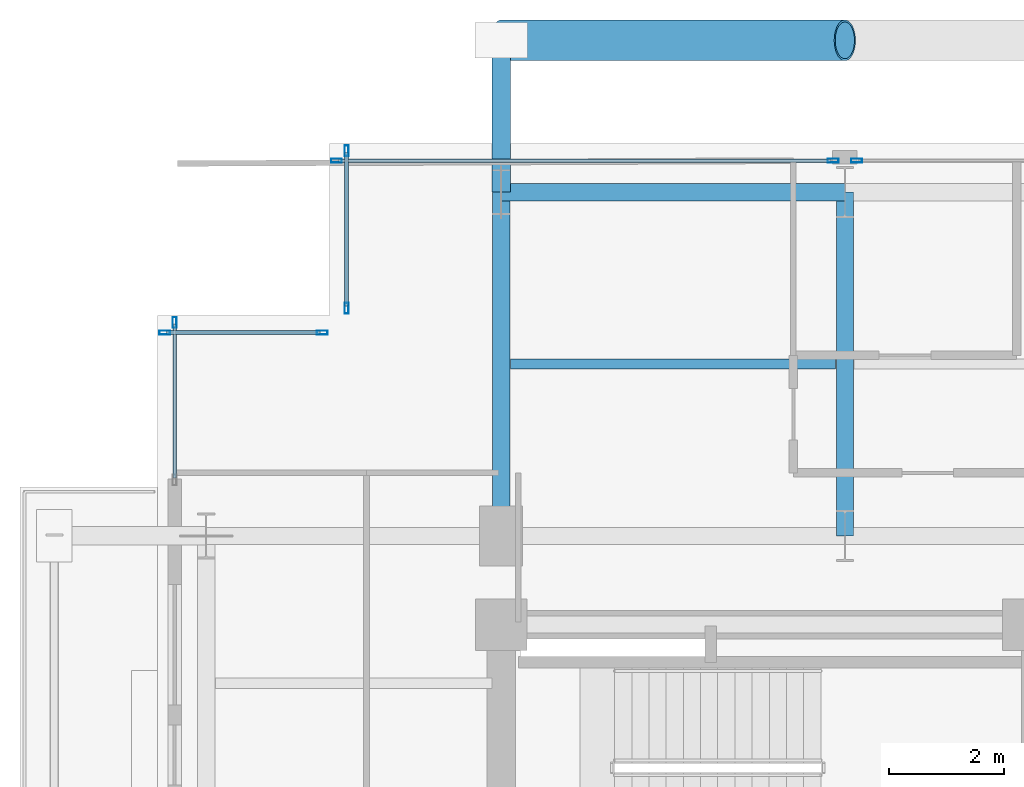
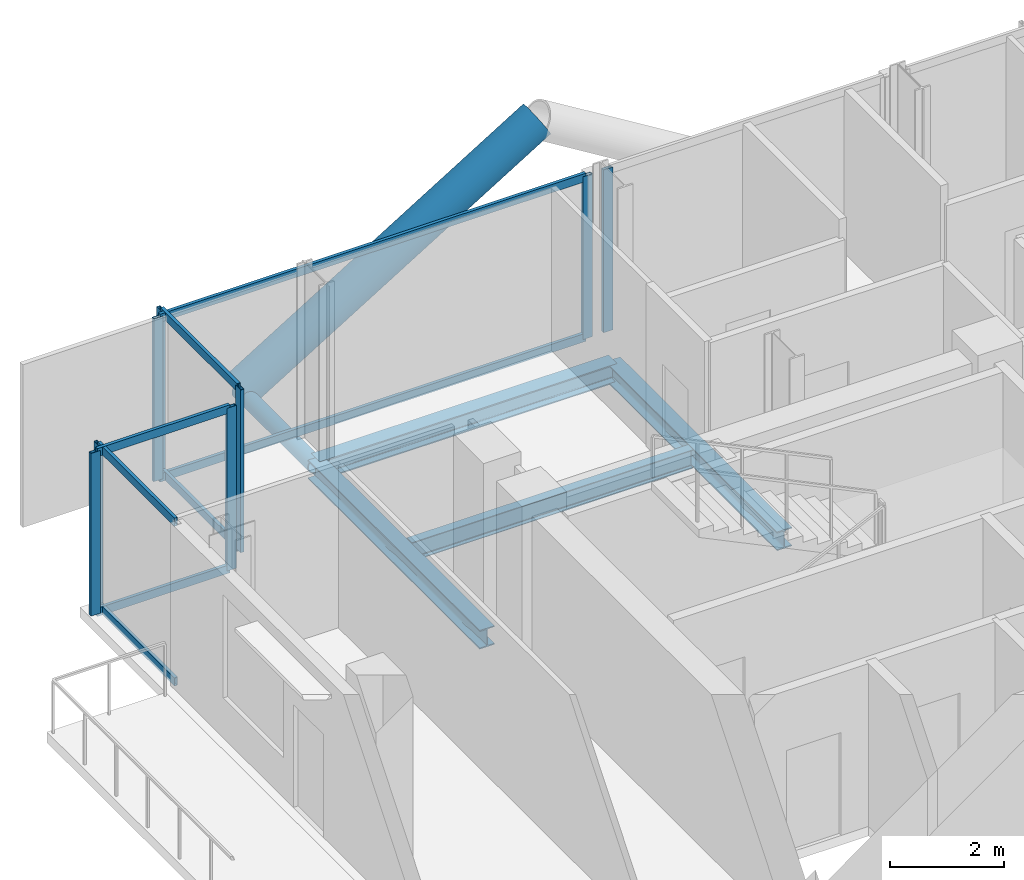
# One storey, part 14 of 26: 18 members, 4 beams, 5 elements without a shape of their own.
"""IFC4 building model written with IfcOpenShell, lengths in metres."""

from ifc_helpers import new_model, si_unit, direction, frame, origin, origin_2d, place, context, subcontext, project, spatial, hollow_rectangle, hollow_circle, i_section, extrude, material, layer, layer_set, material_profile, profile_set, type_object, element, aggregate, save


model = new_model("IFC4")

# Units and contexts
model_context = context("Model", 3, precision=1e-05, world=origin(), true_north=direction((0.0, 1.0)))
body_context = subcontext(model_context, "Body", "Model", "MODEL_VIEW")
ifc_project = project(units=[si_unit("LENGTHUNIT", "METRE"), si_unit("AREAUNIT", "SQUARE_METRE"), si_unit("VOLUMEUNIT", "CUBIC_METRE"), si_unit("PLANEANGLEUNIT", "RADIAN"), si_unit("MASSUNIT", "GRAM", prefix="KILO"), si_unit("THERMODYNAMICTEMPERATUREUNIT", "KELVIN"), si_unit("POWERUNIT", "WATT")], contexts=[model_context])

# Site, building, storey
site_placement = place(None, origin())
site = spatial("IfcSite", under=ifc_project, at=site_placement, CompositionType="ELEMENT")
building_placement = place(site_placement, origin())
building = spatial("IfcBuilding", under=site, at=building_placement, Name="Svarakhadi Broadcast Tower", CompositionType="ELEMENT")
storey_placement = place(building_placement, frame((0.0, 0.0, 195.449951171875)))
storey = spatial("IfcBuildingStorey", under=building, at=storey_placement, Name="L48", CompositionType="ELEMENT", Elevation=195.449951171875)

# Beam
ifc_material_1 = material(Name="Steel S355J2 (IS 2062 E350C)", Category="steel")
ifc_material_profile_1 = material_profile(ifc_material_1, i_section(OverallWidth=0.179931640625, OverallDepth=0.39990234375, WebThickness=0.008544921875, FlangeThickness=0.013427734375, FilletRadius=0.02099609375, at=origin_2d()), Name="NPB 400x180x66")
ifc_profile_set_1 = profile_set([ifc_material_profile_1], Name="Steel S355J2 (IS 2062 E350C)")
beam_type_1 = type_object("IfcBeamType", Name="Beam_NPB400", PredefinedType="BEAM", material=ifc_profile_set_1)
beam_placement = place(storey_placement, frame((6.159912109375, 32.14990234375, -0.409912109375), z_axis=(1.0, 0.0, 0.0), x_axis=(0.0, 1.0, 0.0)))
element("IfcBeam", 1, at=beam_placement, inside=storey, type_object=beam_type_1, Name="L48 Secondary Composite Beam SB008", PredefinedType="BEAM", context=body_context, shape_type="SweptSolid", body=[
    extrude(i_section(OverallWidth=0.179931640625, OverallDepth=0.39990234375, WebThickness=0.008544921875, FlangeThickness=0.013427734375, FilletRadius=0.02099609375, at=origin_2d()), origin(), (0.0, 0.0, 1.0), 5.68017578125),
])

# Curtain wall, member
ifc_material_2 = material(Name="Anodised Bronze Aluminium AA 6063-T6", Category="aluminium")
ifc_layer = layer(ifc_material_2, 0.18994140625)
ifc_layer_set = layer_set([ifc_layer], Name="Anodised Bronze Aluminium AA 6063-T6")
curtain_wall_type = type_object("IfcCurtainWallType", Name="CW_Sys_04", PredefinedType="NOTDEFINED", material=ifc_layer_set)
curtain_wall_1_placement = place(storey_placement, origin())
curtain_wall_1 = element("IfcCurtainWall", 2, at=curtain_wall_1_placement, inside=storey, type_object=curtain_wall_type, Name="L48 West Curtain Wall 03", PredefinedType="NOTDEFINED")
ifc_material_profile_2 = material_profile(ifc_material_2, hollow_rectangle(XDim=0.070068359375, YDim=0.18994140625, WallThickness=0.005615234375, at=origin_2d()), Name="ALU MULLION 190x70x6")
ifc_profile_set_2 = profile_set([ifc_material_profile_2], Name="Anodised Bronze Aluminium AA 6063-T6")
member_type_1 = type_object("IfcMemberType", Name="CW_Sys_04_Mul", PredefinedType="MULLION", material=ifc_profile_set_2)
member_1_placement = place(storey_placement, frame((0.300048828125, 32.875, 0.0), z_axis=(0.0, 0.0, 1.0), x_axis=(-1.0, 0.0, 0.0)))
member_1 = element("IfcMember", 3, at=member_1_placement, type_object=member_type_1, Name="CW-04 mullion 2", PredefinedType="MULLION", context=body_context, shape_type="SweptSolid", body=[
    extrude(hollow_rectangle(XDim=0.070068359375, YDim=0.18994140625, WallThickness=0.005615234375, at=origin_2d()), origin(), (0.0, 0.0, 1.0), 3.47509765625),
])

# Curtain wall, members
curtain_wall_2_placement = place(storey_placement, origin())
curtain_wall_2 = element("IfcCurtainWall", 4, at=curtain_wall_2_placement, inside=storey, type_object=curtain_wall_type, Name="L48 Unitised Facade Curtain Wall 04", PredefinedType="NOTDEFINED")
member_2_placement = place(storey_placement, frame((0.125, 32.699951171875, 0.0), z_axis=(0.0, 0.0, 1.0), x_axis=(0.0, 1.0, 0.0)))
member_2 = element("IfcMember", 5, at=member_2_placement, type_object=member_type_1, Name="CW-04 mullion 1", PredefinedType="MULLION", context=body_context, shape_type="SweptSolid", body=[
    extrude(hollow_rectangle(XDim=0.070068359375, YDim=0.18994140625, WallThickness=0.005615234375, at=origin_2d()), origin(), (0.0, 0.0, 1.0), 3.47509765625),
])
member_3_placement = place(storey_placement, frame((2.875, 32.699951171875, 0.0), z_axis=(0.0, 0.0, 1.0), x_axis=(0.0, 1.0, 0.0)))
member_3 = element("IfcMember", 6, at=member_3_placement, type_object=member_type_1, Name="CW-04 mullion 2", PredefinedType="MULLION", context=body_context, shape_type="SweptSolid", body=[
    extrude(hollow_rectangle(XDim=0.070068359375, YDim=0.18994140625, WallThickness=0.005615234375, at=origin_2d()), origin(), (0.0, 0.0, 1.0), 3.47509765625),
])

curtain_wall_3_placement = place(storey_placement, origin())
curtain_wall_3 = element("IfcCurtainWall", 7, at=curtain_wall_3_placement, inside=storey, type_object=curtain_wall_type, Name="L48 Unitised Facade Curtain Wall 05", PredefinedType="NOTDEFINED")
member_4_placement = place(storey_placement, frame((3.300048828125, 33.125, 0.0), z_axis=(0.0, 0.0, 1.0), x_axis=(-1.0, 0.0, 0.0)))
member_4 = element("IfcMember", 8, at=member_4_placement, type_object=member_type_1, Name="CW-04 mullion 1", PredefinedType="MULLION", context=body_context, shape_type="SweptSolid", body=[
    extrude(hollow_rectangle(XDim=0.070068359375, YDim=0.18994140625, WallThickness=0.005615234375, at=origin_2d()), origin(), (0.0, 0.0, 1.0), 3.47509765625),
])
member_5_placement = place(storey_placement, frame((3.300048828125, 35.875, 0.0), z_axis=(0.0, 0.0, 1.0), x_axis=(-1.0, 0.0, 0.0)))
member_5 = element("IfcMember", 9, at=member_5_placement, type_object=member_type_1, Name="CW-04 mullion 2", PredefinedType="MULLION", context=body_context, shape_type="SweptSolid", body=[
    extrude(hollow_rectangle(XDim=0.070068359375, YDim=0.18994140625, WallThickness=0.005615234375, at=origin_2d()), origin(), (0.0, 0.0, 1.0), 3.47509765625),
])

curtain_wall_4_placement = place(storey_placement, origin())
curtain_wall_4 = element("IfcCurtainWall", 10, at=curtain_wall_4_placement, inside=storey, type_object=curtain_wall_type, Name="L48 Unitised Facade Curtain Wall 06 Bay 1", PredefinedType="NOTDEFINED")
member_6_placement = place(storey_placement, frame((3.125, 35.699951171875, 0.0), z_axis=(0.0, 0.0, 1.0), x_axis=(0.0, 1.0, 0.0)))
member_6 = element("IfcMember", 11, at=member_6_placement, type_object=member_type_1, Name="CW-04 mullion 1", PredefinedType="MULLION", context=body_context, shape_type="SweptSolid", body=[
    extrude(hollow_rectangle(XDim=0.070068359375, YDim=0.18994140625, WallThickness=0.005615234375, at=origin_2d()), origin(), (0.0, 0.0, 1.0), 3.47509765625),
])
member_7_placement = place(storey_placement, frame((11.794921875, 35.699951171875, 0.0), z_axis=(0.0, 0.0, 1.0), x_axis=(0.0, 1.0, 0.0)))
member_7 = element("IfcMember", 12, at=member_7_placement, type_object=member_type_1, Name="CW-04 mullion 2", PredefinedType="MULLION", context=body_context, shape_type="SweptSolid", body=[
    extrude(hollow_rectangle(XDim=0.070068359375, YDim=0.18994140625, WallThickness=0.005615234375, at=origin_2d()), origin(), (0.0, 0.0, 1.0), 3.47509765625),
])

# Curtain wall, member
curtain_wall_5_placement = place(storey_placement, origin())
curtain_wall_5 = element("IfcCurtainWall", 13, at=curtain_wall_5_placement, inside=storey, type_object=curtain_wall_type, Name="L48 Unitised Facade Curtain Wall 06 Bay 2", PredefinedType="NOTDEFINED")
member_8_placement = place(storey_placement, frame((12.205078125, 35.699951171875, 0.0), z_axis=(0.0, 0.0, 1.0), x_axis=(0.0, 1.0, 0.0)))
member_8 = element("IfcMember", 14, at=member_8_placement, type_object=member_type_1, Name="CW-04 mullion 1", PredefinedType="MULLION", context=body_context, shape_type="SweptSolid", body=[
    extrude(hollow_rectangle(XDim=0.070068359375, YDim=0.18994140625, WallThickness=0.005615234375, at=origin_2d()), origin(), (0.0, 0.0, 1.0), 3.47509765625),
])
aggregate(curtain_wall_5, [member_8])

# Member
ifc_material_profile_3 = material_profile(ifc_material_2, hollow_rectangle(XDim=0.06494140625, YDim=0.175048828125, WallThickness=0.0048828125, at=origin_2d()), Name="ALU TRANSOM 175x65x5")
ifc_profile_set_3 = profile_set([ifc_material_profile_3], Name="Anodised Bronze Aluminium AA 6063-T6")
member_type_2 = type_object("IfcMemberType", Name="CW_Sys_04_Trn", PredefinedType="USERDEFINED", material=ifc_profile_set_3)
member_9_placement = place(storey_placement, frame((0.300048828125, 30.159912109375, 0.032470703125), z_axis=(0.0, 1.0, 0.0), x_axis=(-1.0, 0.0, 0.0)))
member_9 = element("IfcMember", 15, at=member_9_placement, type_object=member_type_2, Name="CW-04 transom 1.1", ObjectType="TRANSOM", PredefinedType="USERDEFINED", context=body_context, shape_type="SweptSolid", body=[
    extrude(hollow_rectangle(XDim=0.06494140625, YDim=0.175048828125, WallThickness=0.0048828125, at=origin_2d()), origin(), (0.0, 0.0, 1.0), 2.68017578125),
])

member_10_placement = place(storey_placement, frame((0.300048828125, 30.159912109375, 3.442626953125), z_axis=(0.0, 1.0, 0.0), x_axis=(-1.0, 0.0, 0.0)))
member_10 = element("IfcMember", 16, at=member_10_placement, type_object=member_type_2, Name="CW-04 transom 1.2", ObjectType="TRANSOM", PredefinedType="USERDEFINED", context=body_context, shape_type="SweptSolid", body=[
    extrude(hollow_rectangle(XDim=0.06494140625, YDim=0.175048828125, WallThickness=0.0048828125, at=origin_2d()), origin(), (0.0, 0.0, 1.0), 2.68017578125),
])

aggregate(curtain_wall_1, [member_1, member_9, member_10])

member_11_placement = place(storey_placement, frame((0.159912109375, 32.699951171875, 0.032470703125), z_axis=(1.0, 0.0, 0.0), x_axis=(0.0, 1.0, 0.0)))
member_11 = element("IfcMember", 17, at=member_11_placement, type_object=member_type_2, Name="CW-04 transom 1.1", ObjectType="TRANSOM", PredefinedType="USERDEFINED", context=body_context, shape_type="SweptSolid", body=[
    extrude(hollow_rectangle(XDim=0.06494140625, YDim=0.175048828125, WallThickness=0.0048828125, at=origin_2d()), origin(), (0.0, 0.0, 1.0), 2.68017578125),
])

member_12_placement = place(storey_placement, frame((0.159912109375, 32.699951171875, 3.442626953125), z_axis=(1.0, 0.0, 0.0), x_axis=(0.0, 1.0, 0.0)))
member_12 = element("IfcMember", 18, at=member_12_placement, type_object=member_type_2, Name="CW-04 transom 1.2", ObjectType="TRANSOM", PredefinedType="USERDEFINED", context=body_context, shape_type="SweptSolid", body=[
    extrude(hollow_rectangle(XDim=0.06494140625, YDim=0.175048828125, WallThickness=0.0048828125, at=origin_2d()), origin(), (0.0, 0.0, 1.0), 2.68017578125),
])

aggregate(curtain_wall_2, [member_2, member_3, member_11, member_12])

member_13_placement = place(storey_placement, frame((3.300048828125, 33.159912109375, 0.032470703125), z_axis=(0.0, 1.0, 0.0), x_axis=(-1.0, 0.0, 0.0)))
member_13 = element("IfcMember", 19, at=member_13_placement, type_object=member_type_2, Name="CW-04 transom 1.1", ObjectType="TRANSOM", PredefinedType="USERDEFINED", context=body_context, shape_type="SweptSolid", body=[
    extrude(hollow_rectangle(XDim=0.06494140625, YDim=0.175048828125, WallThickness=0.0048828125, at=origin_2d()), origin(), (0.0, 0.0, 1.0), 2.68017578125),
])

member_14_placement = place(storey_placement, frame((3.300048828125, 33.159912109375, 3.442626953125), z_axis=(0.0, 1.0, 0.0), x_axis=(-1.0, 0.0, 0.0)))
member_14 = element("IfcMember", 20, at=member_14_placement, type_object=member_type_2, Name="CW-04 transom 1.2", ObjectType="TRANSOM", PredefinedType="USERDEFINED", context=body_context, shape_type="SweptSolid", body=[
    extrude(hollow_rectangle(XDim=0.06494140625, YDim=0.175048828125, WallThickness=0.0048828125, at=origin_2d()), origin(), (0.0, 0.0, 1.0), 2.68017578125),
])

aggregate(curtain_wall_3, [member_4, member_5, member_13, member_14])

member_15_placement = place(storey_placement, frame((3.159912109375, 35.699951171875, 0.032470703125), z_axis=(1.0, 0.0, 0.0), x_axis=(0.0, 1.0, 0.0)))
member_15 = element("IfcMember", 21, at=member_15_placement, type_object=member_type_2, Name="CW-04 transom 1.1", ObjectType="TRANSOM", PredefinedType="USERDEFINED", context=body_context, shape_type="SweptSolid", body=[
    extrude(hollow_rectangle(XDim=0.06494140625, YDim=0.175048828125, WallThickness=0.0048828125, at=origin_2d()), origin(), (0.0, 0.0, 1.0), 8.60009765625),
])

member_16_placement = place(storey_placement, frame((3.159912109375, 35.699951171875, 3.442626953125), z_axis=(1.0, 0.0, 0.0), x_axis=(0.0, 1.0, 0.0)))
member_16 = element("IfcMember", 22, at=member_16_placement, type_object=member_type_2, Name="CW-04 transom 1.2", ObjectType="TRANSOM", PredefinedType="USERDEFINED", context=body_context, shape_type="SweptSolid", body=[
    extrude(hollow_rectangle(XDim=0.06494140625, YDim=0.175048828125, WallThickness=0.0048828125, at=origin_2d()), origin(), (0.0, 0.0, 1.0), 8.60009765625),
])

aggregate(curtain_wall_4, [member_6, member_7, member_15, member_16])

# Members
ifc_material_3 = material(Name="Steel S460ML (IS 2062 E450BR)", Category="steel")
ifc_material_profile_4 = material_profile(ifc_material_3, hollow_circle(Radius=0.35546875, WallThickness=0.034912109375, at=origin_2d()), Name="CHS 711x35")
ifc_profile_set_4 = profile_set([ifc_material_profile_4], Name="Steel S460ML (IS 2062 E450BR)")
member_type_3 = type_object("IfcMemberType", Name="Exo_Brace_CHS711", PredefinedType="BRACE", material=ifc_profile_set_4)
member_17_placement = place(storey_placement, frame((6.0, 37.800048828125, -0.371826171875), z_axis=(0.852132977326, 0.0, 0.523325318472), x_axis=(0.0, 1.0, 0.0)))
element("IfcMember", 23, at=member_17_placement, inside=storey, type_object=member_type_3, Name="L48 Exposed Bronze Exoskeleton Diagonal N08", PredefinedType="BRACE", context=body_context, shape_type="SweptSolid", body=[
    extrude(hollow_circle(Radius=0.35546875, WallThickness=0.034912109375, at=origin_2d()), origin(), (0.0, 0.0, 1.0), 7.041259765625),
])
ifc_material_profile_5 = material_profile(ifc_material_3, hollow_circle(Radius=0.161865234375, WallThickness=0.01611328125, at=origin_2d()), Name="CHS 323.9x16")
ifc_profile_set_5 = profile_set([ifc_material_profile_5], Name="Steel S460ML (IS 2062 E450BR)")
member_type_4 = type_object("IfcMemberType", Name="Exo_Radial_Strut_Z2", PredefinedType="STRUT", material=ifc_profile_set_5)
member_18_placement = place(storey_placement, frame((6.0, 37.800048828125, -0.371826171875), z_axis=(0.0, -1.0, 0.0), x_axis=(1.0, 0.0, 0.0)))
element("IfcMember", 24, at=member_18_placement, inside=storey, type_object=member_type_4, Name="L48 Exoskeleton Radial Tie Strut N09", PredefinedType="STRUT", context=body_context, shape_type="SweptSolid", body=[
    extrude(hollow_circle(Radius=0.161865234375, WallThickness=0.01611328125, at=origin_2d()), origin(), (0.0, 0.0, 1.0), 2.650146484375),
])

# Beams
ifc_material_profile_6 = material_profile(ifc_material_1, i_section(OverallWidth=0.300048828125, OverallDepth=0.39990234375, WebThickness=0.013427734375, FlangeThickness=0.02392578125, FilletRadius=0.027099609375, at=origin_2d()), Name="WPB 400x300x155")
ifc_profile_set_6 = profile_set([ifc_material_profile_6], Name="Steel S355J2 (IS 2062 E350C)")
beam_type_2 = type_object("IfcBeamType", Name="Girder_WPB400", PredefinedType="USERDEFINED", material=ifc_profile_set_6)
for number, where, z_axis, x_axis, name in (
    (25, (6.0, 35.14990234375, -0.409912109375), (1.0, 0.0, 0.0), (0.0, 1.0, 0.0), "L48 Primary E-W Girder G031"),
    (26, (6.0, 29.14990234375, -0.409912109375), (0.0, 1.0, 0.0), (-1.0, 0.0, 0.0), "L48 Primary N-S Girder G041"),
    (27, (12.0, 29.14990234375, -0.409912109375), (0.0, 1.0, 0.0), (-1.0, 0.0, 0.0), "L48 Primary N-S Girder G045"),
):
    element("IfcBeam", number, at=place(storey_placement, frame(where, z_axis=z_axis, x_axis=x_axis)), inside=storey, type_object=beam_type_2, Name=name, ObjectType="GIRDER", PredefinedType="USERDEFINED", context=body_context, shape_type="SweptSolid", body=[
        extrude(i_section(OverallWidth=0.300048828125, OverallDepth=0.39990234375, WebThickness=0.013427734375, FlangeThickness=0.02392578125, FilletRadius=0.027099609375, at=origin_2d()), origin(), (0.0, 0.0, 1.0), 6.0),
    ])

save(model, "model.ifc")
